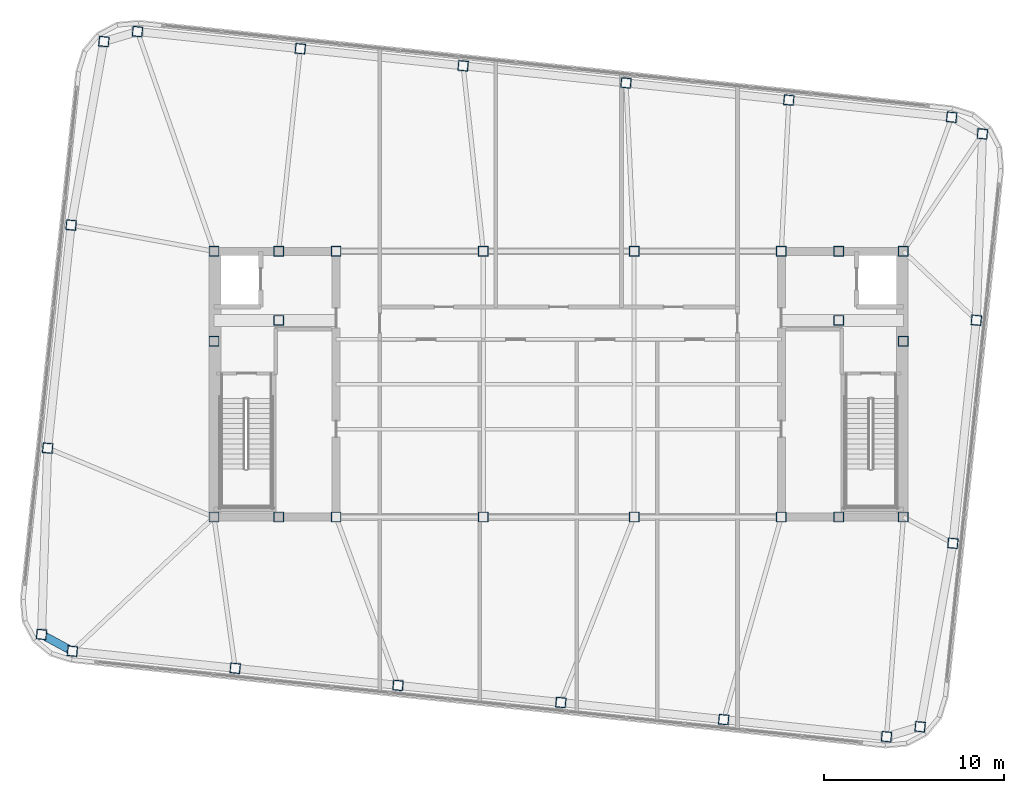
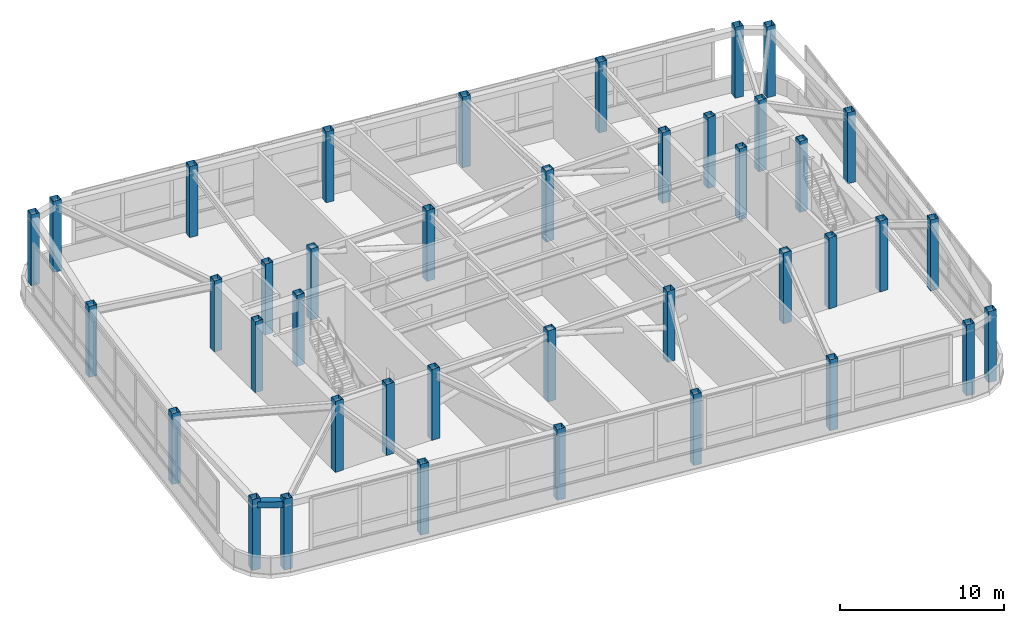
# One storey, part 1 of 23: 40 columns, 1 beam.
"""IFC4 building model written with IfcOpenShell, lengths in metres."""

from ifc_helpers import new_model, si_unit, direction, frame, origin, origin_2d, place, context, subcontext, project, spatial, hollow_rectangle, extrude, material, material_profile, profile_set, type_object, element, save


model = new_model("IFC4")

# Units and contexts
model_context = context("Model", 3, precision=1e-05, world=origin(), true_north=direction((0.0, 1.0)))
body_context = subcontext(model_context, "Body", "Model", "MODEL_VIEW")
ifc_project = project(units=[si_unit("LENGTHUNIT", "METRE"), si_unit("AREAUNIT", "SQUARE_METRE"), si_unit("VOLUMEUNIT", "CUBIC_METRE"), si_unit("PLANEANGLEUNIT", "RADIAN"), si_unit("MASSUNIT", "GRAM", prefix="KILO")], contexts=[model_context])

# Site, building, storey
site_placement = place(None, origin())
site = spatial("IfcSite", under=ifc_project, at=site_placement, CompositionType="ELEMENT")
building_placement = place(site_placement, origin())
building = spatial("IfcBuilding", under=site, at=building_placement, Name="Voryun Gate Residences", CompositionType="ELEMENT")
storey_placement = place(building_placement, frame((0.0, 0.0, 326.60009765625)))
storey = spatial("IfcBuildingStorey", under=building, at=storey_placement, Name="L80", CompositionType="ELEMENT", Elevation=326.60009765625)

# Columns
ifc_material_1 = material(Name="Steel SM355", Category="steel")
ifc_material_profile_1 = material_profile(ifc_material_1, hollow_rectangle(XDim=0.550048828125, YDim=0.550048828125, WallThickness=0.02197265625, at=origin_2d()), Name="BOX-550x550x22")
ifc_profile_set_1 = profile_set([ifc_material_profile_1], Name="Steel SM355")
column_type = type_object("IfcColumnType", Name="COL_CROWN_550", PredefinedType="COLUMN", material=ifc_profile_set_1)
for number, where, z_axis, x_axis, name in (
    (1, (-19.199951171875, -7.39990234375, 0.0), (0.0, 0.0, 1.0), (1.0, 0.0, 0.0), "L80 Core boundary column WC-SW"),
    (2, (-19.199951171875, 2.39990234375, 0.0), (0.0, 0.0, 1.0), (1.0, 0.0, 0.0), "L80 Core boundary column WC-MW"),
    (3, (-19.199951171875, 7.39990234375, 0.0), (0.0, 0.0, 1.0), (1.0, 0.0, 0.0), "L80 Core boundary column WC-NW"),
    (4, (-15.60009765625, -7.39990234375, 0.0), (0.0, 0.0, 1.0), (1.0, 0.0, 0.0), "L80 Core boundary column WC-SM"),
    (5, (-15.60009765625, 7.39990234375, 0.0), (0.0, 0.0, 1.0), (1.0, 0.0, 0.0), "L80 Core boundary column WC-NM"),
    (6, (-12.39990234375, -7.39990234375, 0.0), (0.0, 0.0, 1.0), (1.0, 0.0, 0.0), "L80 Core boundary column WC-SE"),
    (7, (-15.60009765625, 3.550048828125, 0.0), (0.0, 0.0, 1.0), (1.0, 0.0, 0.0), "L80 Core boundary column WC-MM"),
    (8, (-12.39990234375, 7.39990234375, 0.0), (0.0, 0.0, 1.0), (1.0, 0.0, 0.0), "L80 Core boundary column WC-NE"),
    (9, (12.39990234375, -7.39990234375, 0.0), (0.0, 0.0, 1.0), (1.0, 0.0, 0.0), "L80 Core boundary column EC-SW"),
    (10, (15.60009765625, 3.550048828125, 0.0), (0.0, 0.0, 1.0), (1.0, 0.0, 0.0), "L80 Core boundary column EC-MM"),
    (11, (12.39990234375, 7.39990234375, 0.0), (0.0, 0.0, 1.0), (1.0, 0.0, 0.0), "L80 Core boundary column EC-NW"),
    (12, (15.60009765625, -7.39990234375, 0.0), (0.0, 0.0, 1.0), (1.0, 0.0, 0.0), "L80 Core boundary column EC-SM"),
    (13, (15.60009765625, 7.39990234375, 0.0), (0.0, 0.0, 1.0), (1.0, 0.0, 0.0), "L80 Core boundary column EC-NM"),
    (14, (19.199951171875, -7.39990234375, 0.0), (0.0, 0.0, 1.0), (1.0, 0.0, 0.0), "L80 Core boundary column EC-SE"),
    (15, (19.199951171875, 2.39990234375, 0.0), (0.0, 0.0, 1.0), (1.0, 0.0, 0.0), "L80 Core boundary column EC-ME"),
    (16, (19.199951171875, 7.39990234375, 0.0), (0.0, 0.0, 1.0), (1.0, 0.0, 0.0), "L80 Core boundary column EC-NE"),
    (17, (-4.199951171875, -7.39990234375, 0.0), (0.0, 0.0, 1.0), (1.0, 0.0, 0.0), "L80 Interior spine column SP-WS"),
    (18, (-4.199951171875, 7.39990234375, 0.0), (0.0, 0.0, 1.0), (1.0, 0.0, 0.0), "L80 Interior spine column SP-WN"),
    (19, (4.199951171875, -7.39990234375, 0.0), (0.0, 0.0, 1.0), (1.0, 0.0, 0.0), "L80 Interior spine column SP-ES"),
    (20, (4.199951171875, 7.39990234375, 0.0), (0.0, 0.0, 1.0), (1.0, 0.0, 0.0), "L80 Interior spine column SP-EN"),
    (21, (-27.088623046875, -14.871826171875, 0.0), (0.0, 0.0, 1.0), (0.994521895368, -0.104528463268, 0.0), "L80 Crown Frame column S1"),
    (22, (-18.0185546875, -15.824951171875, 0.0), (0.0, 0.0, 1.0), (0.994521895368, -0.104528463268, 0.0), "L80 Crown Frame column S2"),
    (23, (-8.948486328125, -16.7783203125, 0.0), (0.0, 0.0, 1.0), (0.994521895368, -0.104528463268, 0.0), "L80 Crown Frame column S3"),
    (24, (0.121337890625, -17.731689453125, 0.0), (0.0, 0.0, 1.0), (0.994521895368, -0.104528463268, 0.0), "L80 Crown Frame column S4"),
    (25, (9.19140625, -18.684814453125, 0.0), (0.0, 0.0, 1.0), (0.994521895368, -0.104528463268, 0.0), "L80 Crown Frame column S5"),
    (26, (18.261474609375, -19.63818359375, 0.0), (0.0, 0.0, 1.0), (0.994521895368, -0.104528463268, 0.0), "L80 Crown Frame column S6"),
    (27, (20.1328125, -19.083984375, 0.0), (0.0, 0.0, 1.0), (0.994521895368, -0.104528463268, 0.0), "L80 Crown Frame column CSE"),
    (28, (21.958251953125, -8.861572265625, 0.0), (0.0, 0.0, 1.0), (0.994521895368, -0.104528463268, 0.0), "L80 Crown Frame column E1"),
    (29, (23.263916015625, 3.56201171875, 0.0), (0.0, 0.0, 1.0), (0.994521895368, -0.104528463268, 0.0), "L80 Crown Frame column E2"),
    (30, (23.603759765625, 13.9404296875, 0.0), (0.0, 0.0, 1.0), (0.994521895368, -0.104528463268, 0.0), "L80 Crown Frame column CNE"),
    (31, (21.888671875, 14.871826171875, 0.0), (0.0, 0.0, 1.0), (0.994521895368, -0.104528463268, 0.0), "L80 Crown Frame column N1"),
    (32, (12.818603515625, 15.824951171875, 0.0), (0.0, 0.0, 1.0), (0.994521895368, -0.104528463268, 0.0), "L80 Crown Frame column N2"),
    (33, (3.74853515625, 16.7783203125, 0.0), (0.0, 0.0, 1.0), (0.994521895368, -0.104528463268, 0.0), "L80 Crown Frame column N3"),
    (34, (-5.321533203125, 17.731689453125, 0.0), (0.0, 0.0, 1.0), (0.994521895368, -0.104528463268, 0.0), "L80 Crown Frame column N4"),
    (35, (-14.3916015625, 18.684814453125, 0.0), (0.0, 0.0, 1.0), (0.994521895368, -0.104528463268, 0.0), "L80 Crown Frame column N5"),
    (36, (-23.46142578125, 19.63818359375, 0.0), (0.0, 0.0, 1.0), (0.994521895368, -0.104528463268, 0.0), "L80 Crown Frame column N6"),
    (37, (-25.332763671875, 19.083984375, 0.0), (0.0, 0.0, 1.0), (0.994521895368, -0.104528463268, 0.0), "L80 Crown Frame column CNW"),
    (38, (-27.158203125, 8.861572265625, 0.0), (0.0, 0.0, 1.0), (0.994521895368, -0.104528463268, 0.0), "L80 Crown Frame column W1"),
    (39, (-28.464111328125, -3.56201171875, 0.0), (0.0, 0.0, 1.0), (0.994521895368, -0.104528463268, 0.0), "L80 Crown Frame column W2"),
    (40, (-28.8037109375, -13.9404296875, 0.0), (0.0, 0.0, 1.0), (0.994521895368, -0.104528463268, 0.0), "L80 Crown Frame column CSW"),
):
    element("IfcColumn", number, at=place(storey_placement, frame(where, z_axis=z_axis, x_axis=x_axis)), inside=storey, type_object=column_type, Name=name, PredefinedType="COLUMN", context=body_context, shape_type="SweptSolid", body=[
        extrude(hollow_rectangle(XDim=0.550048828125, YDim=0.550048828125, WallThickness=0.02197265625, at=origin_2d()), origin(), (0.0, 0.0, 1.0), 5.2998046875),
    ])

# Beam
ifc_material_2 = material(Name="Steel SM355", Category="steel")
ifc_material_profile_2 = material_profile(ifc_material_2, hollow_rectangle(XDim=0.449951171875, YDim=0.449951171875, WallThickness=0.01806640625, at=origin_2d()), Name="BOX-450x450x18")
ifc_profile_set_2 = profile_set([ifc_material_profile_2], Name="Steel SM355")
beam_type = type_object("IfcBeamType", Name="BM_CROWN_RING", PredefinedType="BEAM", material=ifc_profile_set_2)
beam_placement = place(storey_placement, frame((-28.8037109375, -13.9404296875, 4.7998046875), z_axis=(0.87877849121, -0.477229885262, 0.0), x_axis=(0.477229885262, 0.87877849121, 0.0)))
element("IfcBeam", 41, at=beam_placement, inside=storey, type_object=beam_type, Name="BM-L80-SPAND-20", PredefinedType="BEAM", context=body_context, shape_type="SweptSolid", body=[
    extrude(hollow_rectangle(XDim=0.449951171875, YDim=0.449951171875, WallThickness=0.01806640625, at=origin_2d()), origin(), (0.0, 0.0, 1.0), 1.95166015625),
])

save(model, "model.ifc")
